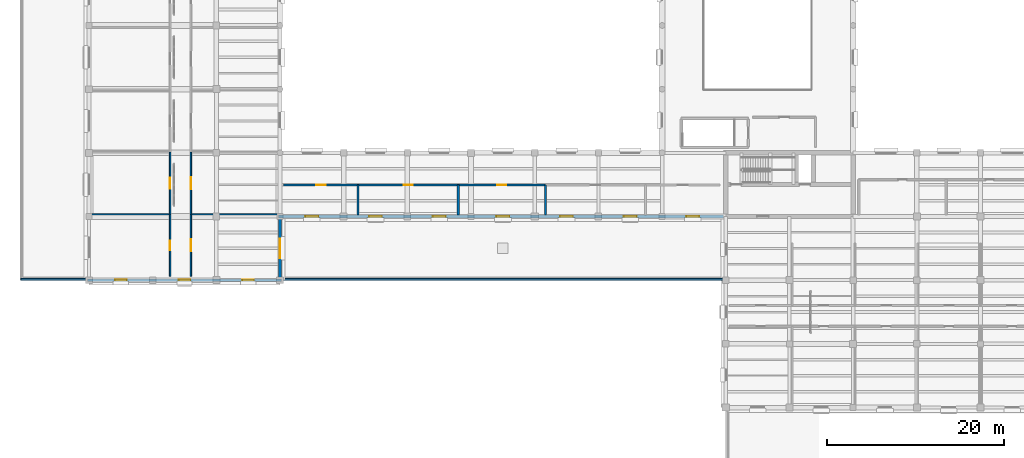
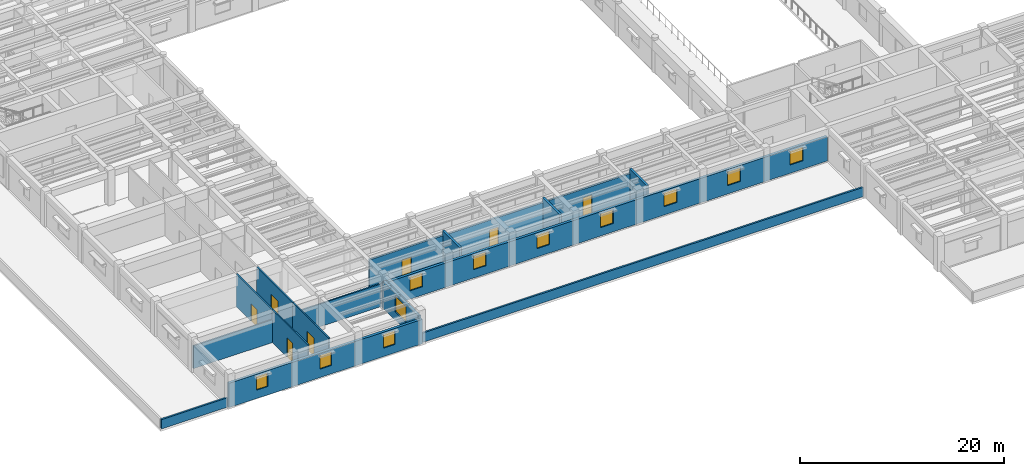
# One storey, part 48 of 76: 17 walls, 11 windows, 7 doors, 18 openings.
"""IFC4 building model written with IfcOpenShell, lengths in metres."""

from ifc_helpers import new_model, si_unit, direction, frame, frame_2d, origin, place, context, subcontext, project, spatial, rectangle, extrude, material, layer, layer_set, type_object, element, fill, save


model = new_model("IFC4")

# Units and contexts
model_context = context("Model", 3, precision=1e-05, world=origin(), true_north=direction((0.0, 1.0)))
body_context = subcontext(model_context, "Body", "Model", "MODEL_VIEW")
ifc_project = project(units=[si_unit("LENGTHUNIT", "METRE"), si_unit("AREAUNIT", "SQUARE_METRE"), si_unit("VOLUMEUNIT", "CUBIC_METRE"), si_unit("PLANEANGLEUNIT", "RADIAN"), si_unit("MASSUNIT", "GRAM", prefix="KILO")], contexts=[model_context])

# Site, building, storey
site_placement = place(None, origin())
site = spatial("IfcSite", under=ifc_project, at=site_placement, CompositionType="ELEMENT")
building_placement = place(site_placement, origin())
building = spatial("IfcBuilding", under=site, at=building_placement, Name="Mithqara Police Headquarters", CompositionType="ELEMENT")
storey_placement = place(building_placement, frame((0.0, 0.0, 5.39990234375)))
storey = spatial("IfcBuildingStorey", under=building, at=storey_placement, Name="L01", CompositionType="ELEMENT", Elevation=5.39990234375)

# Wall, openings, windows
ifc_material_1 = material(Name="Ochre masonry cavity wall, 35 MPa", Category="masonry")
ifc_layer_1 = layer(ifc_material_1, 0.300048828125, Name="Ochre masonry cavity wall, 35 MPa")
ifc_layer_set_1 = layer_set([ifc_layer_1], Name="Ochre masonry cavity wall, 35 MPa")
wall_type_1 = type_object("IfcWallType", Name="EXT WALL OCHRE BRICK300", PredefinedType="SOLIDWALL", material=ifc_layer_set_1)
wall_1_placement = place(storey_placement, frame((7.64990234375, 21.0, 0.0), z_axis=(0.0, 0.0, 1.0), x_axis=(1.0, 0.0, 0.0)))
wall_1 = element("IfcWall", 1, at=wall_1_placement, inside=storey, type_object=wall_type_1, Name="L01 Exterior Wall 19.1", PredefinedType="SOLIDWALL", context=body_context, shape_type="SweptSolid", body=[
    extrude(rectangle(XDim=21.900146484375, YDim=0.300048828125, at=frame_2d((10.9501953125, 0.0))), origin(), (0.0, 0.0, 1.0), 2.920166015625),
])
opening_1_placement = place(wall_1_placement, frame((3.10009765625, 0.0, 1.0)))
opening_1 = element("IfcOpeningElement", 2, at=opening_1_placement, cuts=wall_1, Name="Opening W-17", PredefinedType="OPENING", context=body_context, shape_type="SweptSolid", body=[
    extrude(rectangle(XDim=1.300048828125, YDim=1.64990234375, at=frame_2d((0.64990234375, 0.824951171875))), frame((0.0, 0.16015625, 0.0), z_axis=(0.0, -1.0, 0.0), x_axis=(1.0, 0.0, 0.0)), (0.0, 0.0, 1.0), 0.320068359375),
])
opening_2_placement = place(wall_1_placement, frame((10.300048828125, 0.0, 1.0)))
opening_2 = element("IfcOpeningElement", 3, at=opening_2_placement, cuts=wall_1, Name="Opening W-17", PredefinedType="OPENING", context=body_context, shape_type="SweptSolid", body=[
    extrude(rectangle(XDim=1.300048828125, YDim=1.64990234375, at=frame_2d((0.64990234375, 0.824951171875))), frame((0.0, 0.16015625, 0.0), z_axis=(0.0, -1.0, 0.0), x_axis=(1.0, 0.0, 0.0)), (0.0, 0.0, 1.0), 0.320068359375),
])
opening_3_placement = place(wall_1_placement, frame((17.5, 0.0, 1.0)))
opening_3 = element("IfcOpeningElement", 4, at=opening_3_placement, cuts=wall_1, Name="Opening W-17", PredefinedType="OPENING", context=body_context, shape_type="SweptSolid", body=[
    extrude(rectangle(XDim=1.300048828125, YDim=1.64990234375, at=frame_2d((0.64990234375, 0.824951171875))), frame((0.0, 0.16015625, 0.0), z_axis=(0.0, -1.0, 0.0), x_axis=(1.0, 0.0, 0.0)), (0.0, 0.0, 1.0), 0.320068359375),
])
ifc_material_2 = material(Name="Spectrally selective double low-e glass", Category="glass")
window_type_1 = type_object("IfcWindowType", Name="WINDOW 1300X1650", PartitioningType="SINGLE_PANEL", PredefinedType="WINDOW", material=ifc_material_2)
window_1_placement = place(opening_1_placement, origin())
window_1 = element("IfcWindow", 5, at=window_1_placement, inside=storey, type_object=window_type_1, Name="L01 Deep-Set Punched Window 19.1", OverallHeight=1.64990234375, OverallWidth=1.300048828125, PartitioningType="SINGLE_PANEL", PredefinedType="WINDOW", context=body_context, shape_type="SweptSolid", body=[
    extrude(rectangle(XDim=1.300048828125, YDim=1.64990234375, at=frame_2d((0.64990234375, 0.824951171875))), frame((0.0, 0.030029296875, 0.0), z_axis=(0.0, -1.0, 0.0), x_axis=(1.0, 0.0, 0.0)), (0.0, 0.0, 1.0), 0.06005859375),
])
fill(opening_1, window_1)
window_2_placement = place(opening_2_placement, origin())
window_2 = element("IfcWindow", 6, at=window_2_placement, inside=storey, type_object=window_type_1, Name="L01 Deep-Set Punched Window 19.2", OverallHeight=1.64990234375, OverallWidth=1.300048828125, PartitioningType="SINGLE_PANEL", PredefinedType="WINDOW", context=body_context, shape_type="SweptSolid", body=[
    extrude(rectangle(XDim=1.300048828125, YDim=1.64990234375, at=frame_2d((0.64990234375, 0.824951171875))), frame((0.0, 0.030029296875, 0.0), z_axis=(0.0, -1.0, 0.0), x_axis=(1.0, 0.0, 0.0)), (0.0, 0.0, 1.0), 0.06005859375),
])
fill(opening_2, window_2)
window_3_placement = place(opening_3_placement, origin())
window_3 = element("IfcWindow", 7, at=window_3_placement, inside=storey, type_object=window_type_1, Name="L01 Deep-Set Punched Window 19.3", OverallHeight=1.64990234375, OverallWidth=1.300048828125, PartitioningType="SINGLE_PANEL", PredefinedType="WINDOW", context=body_context, shape_type="SweptSolid", body=[
    extrude(rectangle(XDim=1.300048828125, YDim=1.64990234375, at=frame_2d((0.64990234375, 0.824951171875))), frame((0.0, 0.030029296875, 0.0), z_axis=(0.0, -1.0, 0.0), x_axis=(1.0, 0.0, 0.0)), (0.0, 0.0, 1.0), 0.06005859375),
])
fill(opening_3, window_3)

# Wall, opening, window
wall_2_placement = place(storey_placement, frame((29.39990234375, 21.14990234375, 0.0), z_axis=(0.0, 0.0, 1.0), x_axis=(0.0, 1.0, 0.0)))
wall_2 = element("IfcWall", 8, at=wall_2_placement, inside=storey, type_object=wall_type_1, Name="L01 Exterior Wall 20.1", PredefinedType="SOLIDWALL", context=body_context, shape_type="SweptSolid", body=[
    extrude(rectangle(XDim=6.900146484375, YDim=0.300048828125, at=frame_2d((3.4501953125, 0.0))), origin(), (0.0, 0.0, 1.0), 3.22021484375),
])
opening_4_placement = place(wall_2_placement, frame((2.35009765625, 0.0, 1.0)))
opening_4 = element("IfcOpeningElement", 9, at=opening_4_placement, cuts=wall_2, Name="Opening W-43", PredefinedType="OPENING", context=body_context, shape_type="SweptSolid", body=[
    extrude(rectangle(XDim=2.199951171875, YDim=1.89990234375, at=frame_2d((1.10009765625, 0.949951171875))), frame((0.0, 0.16015625, 0.0), z_axis=(0.0, -1.0, 0.0), x_axis=(1.0, 0.0, 0.0)), (0.0, 0.0, 1.0), 0.320068359375),
])
window_type_2 = type_object("IfcWindowType", Name="WINDOW 2200X1900", PartitioningType="DOUBLE_PANEL_VERTICAL", PredefinedType="WINDOW", material=ifc_material_2)
window_4_placement = place(opening_4_placement, origin())
window_4 = element("IfcWindow", 10, at=window_4_placement, inside=storey, type_object=window_type_2, Name="L01 Deep-Set Punched Window 20.1", OverallHeight=1.89990234375, OverallWidth=2.199951171875, PartitioningType="SINGLE_PANEL", PredefinedType="WINDOW", context=body_context, shape_type="SweptSolid", body=[
    extrude(rectangle(XDim=2.199951171875, YDim=1.89990234375, at=frame_2d((1.10009765625, 0.949951171875))), frame((0.0, 0.030029296875, 0.0), z_axis=(0.0, -1.0, 0.0), x_axis=(1.0, 0.0, 0.0)), (0.0, 0.0, 1.0), 0.06005859375),
])
fill(opening_4, window_4)

# Wall, openings, windows
wall_3_placement = place(storey_placement, frame((29.25, 28.199951171875, 0.0), z_axis=(0.0, 0.0, 1.0), x_axis=(1.0, 0.0, 0.0)))
wall_3 = element("IfcWall", 11, at=wall_3_placement, inside=storey, type_object=wall_type_1, Name="L01 Exterior Wall 21.1", PredefinedType="SOLIDWALL", context=body_context, shape_type="SweptSolid", body=[
    extrude(rectangle(XDim=50.300048828125, YDim=0.300048828125, at=frame_2d((25.14990234375, 0.0))), origin(), (0.0, 0.0, 1.0), 2.920166015625),
])
opening_5_placement = place(wall_3_placement, frame((3.02490234375, 0.0, 1.0)))
opening_5 = element("IfcOpeningElement", 12, at=opening_5_placement, cuts=wall_3, Name="Opening W-22", PredefinedType="OPENING", context=body_context, shape_type="SweptSolid", body=[
    extrude(rectangle(XDim=1.449951171875, YDim=1.64990234375, at=frame_2d((0.72509765625, 0.824951171875))), frame((0.0, 0.16015625, 0.0), z_axis=(0.0, -1.0, 0.0), x_axis=(1.0, 0.0, 0.0)), (0.0, 0.0, 1.0), 0.320068359375),
])
opening_6_placement = place(wall_3_placement, frame((10.22509765625, 0.0, 1.0)))
opening_6 = element("IfcOpeningElement", 13, at=opening_6_placement, cuts=wall_3, Name="Opening W-22", PredefinedType="OPENING", context=body_context, shape_type="SweptSolid", body=[
    extrude(rectangle(XDim=1.449951171875, YDim=1.64990234375, at=frame_2d((0.72509765625, 0.824951171875))), frame((0.0, 0.16015625, 0.0), z_axis=(0.0, -1.0, 0.0), x_axis=(1.0, 0.0, 0.0)), (0.0, 0.0, 1.0), 0.320068359375),
])
opening_7_placement = place(wall_3_placement, frame((17.425048828125, 0.0, 1.0)))
opening_7 = element("IfcOpeningElement", 14, at=opening_7_placement, cuts=wall_3, Name="Opening W-22", PredefinedType="OPENING", context=body_context, shape_type="SweptSolid", body=[
    extrude(rectangle(XDim=1.449951171875, YDim=1.64990234375, at=frame_2d((0.72509765625, 0.824951171875))), frame((0.0, 0.16015625, 0.0), z_axis=(0.0, -1.0, 0.0), x_axis=(1.0, 0.0, 0.0)), (0.0, 0.0, 1.0), 0.320068359375),
])
opening_8_placement = place(wall_3_placement, frame((24.625, 0.0, 1.0)))
opening_8 = element("IfcOpeningElement", 15, at=opening_8_placement, cuts=wall_3, Name="Opening W-22", PredefinedType="OPENING", context=body_context, shape_type="SweptSolid", body=[
    extrude(rectangle(XDim=1.449951171875, YDim=1.64990234375, at=frame_2d((0.72509765625, 0.824951171875))), frame((0.0, 0.16015625, 0.0), z_axis=(0.0, -1.0, 0.0), x_axis=(1.0, 0.0, 0.0)), (0.0, 0.0, 1.0), 0.320068359375),
])
opening_9_placement = place(wall_3_placement, frame((31.824951171875, 0.0, 1.0)))
opening_9 = element("IfcOpeningElement", 16, at=opening_9_placement, cuts=wall_3, Name="Opening W-22", PredefinedType="OPENING", context=body_context, shape_type="SweptSolid", body=[
    extrude(rectangle(XDim=1.449951171875, YDim=1.64990234375, at=frame_2d((0.72509765625, 0.824951171875))), frame((0.0, 0.16015625, 0.0), z_axis=(0.0, -1.0, 0.0), x_axis=(1.0, 0.0, 0.0)), (0.0, 0.0, 1.0), 0.320068359375),
])
opening_10_placement = place(wall_3_placement, frame((39.02490234375, 0.0, 1.0)))
opening_10 = element("IfcOpeningElement", 17, at=opening_10_placement, cuts=wall_3, Name="Opening W-22", PredefinedType="OPENING", context=body_context, shape_type="SweptSolid", body=[
    extrude(rectangle(XDim=1.449951171875, YDim=1.64990234375, at=frame_2d((0.72509765625, 0.824951171875))), frame((0.0, 0.16015625, 0.0), z_axis=(0.0, -1.0, 0.0), x_axis=(1.0, 0.0, 0.0)), (0.0, 0.0, 1.0), 0.320068359375),
])
opening_11_placement = place(wall_3_placement, frame((46.10009765625, 0.0, 1.0)))
opening_11 = element("IfcOpeningElement", 18, at=opening_11_placement, cuts=wall_3, Name="Opening W-22", PredefinedType="OPENING", context=body_context, shape_type="SweptSolid", body=[
    extrude(rectangle(XDim=1.449951171875, YDim=1.64990234375, at=frame_2d((0.72509765625, 0.824951171875))), frame((0.0, 0.16015625, 0.0), z_axis=(0.0, -1.0, 0.0), x_axis=(1.0, 0.0, 0.0)), (0.0, 0.0, 1.0), 0.320068359375),
])
window_type_3 = type_object("IfcWindowType", Name="WINDOW 1450X1650", PartitioningType="SINGLE_PANEL", PredefinedType="WINDOW", material=ifc_material_2)
window_5_placement = place(opening_5_placement, origin())
window_5 = element("IfcWindow", 19, at=window_5_placement, inside=storey, type_object=window_type_3, Name="L01 Deep-Set Punched Window 21.1", OverallHeight=1.64990234375, OverallWidth=1.449951171875, PartitioningType="SINGLE_PANEL", PredefinedType="WINDOW", context=body_context, shape_type="SweptSolid", body=[
    extrude(rectangle(XDim=1.449951171875, YDim=1.64990234375, at=frame_2d((0.72509765625, 0.824951171875))), frame((0.0, 0.030029296875, 0.0), z_axis=(0.0, -1.0, 0.0), x_axis=(1.0, 0.0, 0.0)), (0.0, 0.0, 1.0), 0.06005859375),
])
fill(opening_5, window_5)
window_6_placement = place(opening_6_placement, origin())
window_6 = element("IfcWindow", 20, at=window_6_placement, inside=storey, type_object=window_type_3, Name="L01 Deep-Set Punched Window 21.2", OverallHeight=1.64990234375, OverallWidth=1.449951171875, PartitioningType="SINGLE_PANEL", PredefinedType="WINDOW", context=body_context, shape_type="SweptSolid", body=[
    extrude(rectangle(XDim=1.449951171875, YDim=1.64990234375, at=frame_2d((0.72509765625, 0.824951171875))), frame((0.0, 0.030029296875, 0.0), z_axis=(0.0, -1.0, 0.0), x_axis=(1.0, 0.0, 0.0)), (0.0, 0.0, 1.0), 0.06005859375),
])
fill(opening_6, window_6)
window_7_placement = place(opening_7_placement, origin())
window_7 = element("IfcWindow", 21, at=window_7_placement, inside=storey, type_object=window_type_3, Name="L01 Deep-Set Punched Window 21.3", OverallHeight=1.64990234375, OverallWidth=1.449951171875, PartitioningType="SINGLE_PANEL", PredefinedType="WINDOW", context=body_context, shape_type="SweptSolid", body=[
    extrude(rectangle(XDim=1.449951171875, YDim=1.64990234375, at=frame_2d((0.72509765625, 0.824951171875))), frame((0.0, 0.030029296875, 0.0), z_axis=(0.0, -1.0, 0.0), x_axis=(1.0, 0.0, 0.0)), (0.0, 0.0, 1.0), 0.06005859375),
])
fill(opening_7, window_7)
window_8_placement = place(opening_8_placement, origin())
window_8 = element("IfcWindow", 22, at=window_8_placement, inside=storey, type_object=window_type_3, Name="L01 Deep-Set Punched Window 21.4", OverallHeight=1.64990234375, OverallWidth=1.449951171875, PartitioningType="SINGLE_PANEL", PredefinedType="WINDOW", context=body_context, shape_type="SweptSolid", body=[
    extrude(rectangle(XDim=1.449951171875, YDim=1.64990234375, at=frame_2d((0.72509765625, 0.824951171875))), frame((0.0, 0.030029296875, 0.0), z_axis=(0.0, -1.0, 0.0), x_axis=(1.0, 0.0, 0.0)), (0.0, 0.0, 1.0), 0.06005859375),
])
fill(opening_8, window_8)
window_9_placement = place(opening_9_placement, origin())
window_9 = element("IfcWindow", 23, at=window_9_placement, inside=storey, type_object=window_type_3, Name="L01 Deep-Set Punched Window 21.5", OverallHeight=1.64990234375, OverallWidth=1.449951171875, PartitioningType="SINGLE_PANEL", PredefinedType="WINDOW", context=body_context, shape_type="SweptSolid", body=[
    extrude(rectangle(XDim=1.449951171875, YDim=1.64990234375, at=frame_2d((0.72509765625, 0.824951171875))), frame((0.0, 0.030029296875, 0.0), z_axis=(0.0, -1.0, 0.0), x_axis=(1.0, 0.0, 0.0)), (0.0, 0.0, 1.0), 0.06005859375),
])
fill(opening_9, window_9)
window_10_placement = place(opening_10_placement, origin())
window_10 = element("IfcWindow", 24, at=window_10_placement, inside=storey, type_object=window_type_3, Name="L01 Deep-Set Punched Window 21.6", OverallHeight=1.64990234375, OverallWidth=1.449951171875, PartitioningType="SINGLE_PANEL", PredefinedType="WINDOW", context=body_context, shape_type="SweptSolid", body=[
    extrude(rectangle(XDim=1.449951171875, YDim=1.64990234375, at=frame_2d((0.72509765625, 0.824951171875))), frame((0.0, 0.030029296875, 0.0), z_axis=(0.0, -1.0, 0.0), x_axis=(1.0, 0.0, 0.0)), (0.0, 0.0, 1.0), 0.06005859375),
])
fill(opening_10, window_10)
window_11_placement = place(opening_11_placement, origin())
window_11 = element("IfcWindow", 25, at=window_11_placement, inside=storey, type_object=window_type_3, Name="L01 Deep-Set Punched Window 21.7", OverallHeight=1.64990234375, OverallWidth=1.449951171875, PartitioningType="SINGLE_PANEL", PredefinedType="WINDOW", context=body_context, shape_type="SweptSolid", body=[
    extrude(rectangle(XDim=1.449951171875, YDim=1.64990234375, at=frame_2d((0.72509765625, 0.824951171875))), frame((0.0, 0.030029296875, 0.0), z_axis=(0.0, -1.0, 0.0), x_axis=(1.0, 0.0, 0.0)), (0.0, 0.0, 1.0), 0.06005859375),
])
fill(opening_11, window_11)

# Walls
ifc_material_3 = material(Name="Limestone ashlar masonry, 45 MPa", Category="masonry")
ifc_layer_2 = layer(ifc_material_3, 0.199951171875, Name="Limestone ashlar masonry, 45 MPa")
ifc_layer_set_2 = layer_set([ifc_layer_2], Name="Limestone ashlar masonry, 45 MPa")
wall_type_2 = type_object("IfcWallType", Name="PARAPET WALL 200", PredefinedType="PARAPET", material=ifc_layer_set_2)
wall_4_placement = place(storey_placement, frame((79.580078125, 21.110107421875, 0.0), z_axis=(0.0, 0.0, 1.0), x_axis=(-1.0, 0.0, 0.0)))
element("IfcWall", 26, at=wall_4_placement, inside=storey, type_object=wall_type_2, Name="L01 Limestone Roof Parapet ROOF-L00-00-4", PredefinedType="PARAPET", context=body_context, shape_type="SweptSolid", body=[
    extrude(rectangle(XDim=49.9599609375, YDim=0.199951171875, at=frame_2d((24.97998046875, 0.0))), origin(), (0.0, 0.0, 1.0), 1.1201171875),
])
wall_5_placement = place(storey_placement, frame((7.580078125, 21.110107421875, 0.0), z_axis=(0.0, 0.0, 1.0), x_axis=(-1.0, 0.0, 0.0)))
element("IfcWall", 27, at=wall_5_placement, inside=storey, type_object=wall_type_2, Name="L01 Limestone Roof Parapet ROOF-L00-01-4", PredefinedType="PARAPET", context=body_context, shape_type="SweptSolid", body=[
    extrude(rectangle(XDim=7.469970703125, YDim=0.199951171875, at=frame_2d((3.73486328125, 0.0))), origin(), (0.0, 0.0, 1.0), 1.1201171875),
])

# Wall, opening, door
ifc_material_4 = material(Name="Gypsum acoustic stud partition", Category="gypsum")
ifc_layer_3 = layer(ifc_material_4, 0.159912109375, Name="Gypsum acoustic stud partition")
ifc_layer_set_3 = layer_set([ifc_layer_3], Name="Gypsum acoustic stud partition")
wall_type_3 = type_object("IfcWallType", Name="PART WALL 160", PredefinedType="PARTITIONING", material=ifc_layer_set_3)
wall_6_placement = place(storey_placement, frame((16.97998046875, 21.419921875, 0.0), z_axis=(0.0, 0.0, 1.0), x_axis=(0.0, 1.0, 0.0)))
wall_6 = element("IfcWall", 28, at=wall_6_placement, inside=storey, type_object=wall_type_3, Name="L01 Corridor Wall Officer Duty Rest Room", PredefinedType="PARTITIONING", context=body_context, shape_type="SweptSolid", body=[
    extrude(rectangle(XDim=7.031982421875, YDim=0.159912109375, at=frame_2d((3.51611328125, 0.0))), origin(), (0.0, 0.0, 1.0), 3.920166015625),
])
opening_12_placement = place(wall_6_placement, frame((2.966064453125, 0.0, 0.0)))
opening_12 = element("IfcOpeningElement", 29, at=opening_12_placement, cuts=wall_6, Name="Opening D-12", PredefinedType="OPENING", context=body_context, shape_type="SweptSolid", body=[
    extrude(rectangle(XDim=1.10009765625, YDim=2.35009765625, at=frame_2d((0.550048828125, 1.175048828125))), frame((0.0, 0.08984375, 0.0), z_axis=(0.0, -1.0, 0.0), x_axis=(1.0, 0.0, 0.0)), (0.0, 0.0, 1.0), 0.179931640625),
])
ifc_material_5 = material(Name="Acoustic solid-core timber leaf", Category="wood")
door_type_1 = type_object("IfcDoorType", Name="INT DOOR 1100X2350", OperationType="NOTDEFINED", PredefinedType="DOOR", material=ifc_material_5)
door_1_placement = place(opening_12_placement, frame((1.10009765625, 0.0, 0.0), z_axis=(0.0, 0.0, 1.0), x_axis=(-1.0, 0.0, 0.0)))
door_1 = element("IfcDoor", 30, at=door_1_placement, inside=storey, type_object=door_type_1, Name="Officer Duty Rest Room Entry Door", OperationType="SINGLE_SWING_LEFT", OverallHeight=2.35009765625, OverallWidth=1.10009765625, PredefinedType="DOOR", context=body_context, shape_type="SweptSolid", body=[
    extrude(rectangle(XDim=1.10009765625, YDim=2.35009765625, at=frame_2d((0.550048828125, 1.175048828125))), frame((0.0, 0.02490234375, 0.0), z_axis=(0.0, -1.0, 0.0), x_axis=(1.0, 0.0, 0.0)), (0.0, 0.0, 1.0), 0.050048828125),
])
fill(opening_12, door_1)

# Wall
wall_7_placement = place(storey_placement, frame((7.97998046875, 28.451904296875, 0.0), z_axis=(0.0, 0.0, 1.0), x_axis=(1.0, 0.0, 0.0)))
element("IfcWall", 31, at=wall_7_placement, inside=storey, type_object=wall_type_3, Name="L01 Room Partition Officer Duty Rest Room", PredefinedType="PARTITIONING", context=body_context, shape_type="SweptSolid", body=[
    extrude(rectangle(XDim=9.0, YDim=0.159912109375, at=frame_2d((4.5, 0.0))), origin(), (0.0, 0.0, 1.0), 2.72021484375),
])

# Wall, opening, door
wall_8_placement = place(storey_placement, frame((16.97998046875, 28.451904296875, 0.0), z_axis=(0.0, 0.0, 1.0), x_axis=(0.0, 1.0, 0.0)))
wall_8 = element("IfcWall", 32, at=wall_8_placement, inside=storey, type_object=wall_type_3, Name="L01 Corridor Wall Tactical De-Escalation Room", PredefinedType="PARTITIONING", context=body_context, shape_type="SweptSolid", body=[
    extrude(rectangle(XDim=7.031982421875, YDim=0.159912109375, at=frame_2d((3.51611328125, 0.0))), origin(), (0.0, 0.0, 1.0), 3.920166015625),
])
opening_13_placement = place(wall_8_placement, frame((2.906005859375, 0.0, 0.0)))
opening_13 = element("IfcOpeningElement", 33, at=opening_13_placement, cuts=wall_8, Name="Opening D-13", PredefinedType="OPENING", context=body_context, shape_type="SweptSolid", body=[
    extrude(rectangle(XDim=1.219970703125, YDim=2.10009765625, at=frame_2d((0.60986328125, 1.050048828125))), frame((0.0, 0.08984375, 0.0), z_axis=(0.0, -1.0, 0.0), x_axis=(1.0, 0.0, 0.0)), (0.0, 0.0, 1.0), 0.179931640625),
])
door_type_2 = type_object("IfcDoorType", Name="INT DOOR 1220X2100", OperationType="NOTDEFINED", PredefinedType="DOOR", material=ifc_material_5)
door_2_placement = place(opening_13_placement, frame((1.219970703125, 0.0, 0.0), z_axis=(0.0, 0.0, 1.0), x_axis=(-1.0, 0.0, 0.0)))
door_2 = element("IfcDoor", 34, at=door_2_placement, inside=storey, type_object=door_type_2, Name="Tactical De-Escalation Room Entry Door", OperationType="SINGLE_SWING_RIGHT", OverallHeight=2.10009765625, OverallWidth=1.219970703125, PredefinedType="DOOR", context=body_context, shape_type="SweptSolid", body=[
    extrude(rectangle(XDim=1.219970703125, YDim=2.10009765625, at=frame_2d((0.60986328125, 1.050048828125))), frame((0.0, 0.02490234375, 0.0), z_axis=(0.0, -1.0, 0.0), x_axis=(1.0, 0.0, 0.0)), (0.0, 0.0, 1.0), 0.050048828125),
])
fill(opening_13, door_2)

wall_9_placement = place(storey_placement, frame((19.320068359375, 21.419921875, 0.0), z_axis=(0.0, 0.0, 1.0), x_axis=(0.0, 1.0, 0.0)))
wall_9 = element("IfcWall", 35, at=wall_9_placement, inside=storey, type_object=wall_type_3, Name="L01 Corridor Wall Wellness Recovery Suite", PredefinedType="PARTITIONING", context=body_context, shape_type="SweptSolid", body=[
    extrude(rectangle(XDim=7.031982421875, YDim=0.159912109375, at=frame_2d((3.51611328125, 0.0))), origin(), (0.0, 0.0, 1.0), 3.920166015625),
])
opening_14_placement = place(wall_9_placement, frame((2.8359375, 0.0, 0.0)))
opening_14 = element("IfcOpeningElement", 36, at=opening_14_placement, cuts=wall_9, Name="Opening D-17", PredefinedType="OPENING", context=body_context, shape_type="SweptSolid", body=[
    extrude(rectangle(XDim=1.360107421875, YDim=2.219970703125, at=frame_2d((0.68017578125, 1.10986328125))), frame((0.0, 0.08984375, 0.0), z_axis=(0.0, -1.0, 0.0), x_axis=(1.0, 0.0, 0.0)), (0.0, 0.0, 1.0), 0.179931640625),
])
ifc_material_6 = material(Name="Bronze anodised aluminium 6063-T6", Category="aluminium")
door_type_3 = type_object("IfcDoorType", Name="INT DOOR 1360X2220", OperationType="NOTDEFINED", PredefinedType="DOOR", material=ifc_material_6)
door_3_placement = place(opening_14_placement, origin())
door_3 = element("IfcDoor", 37, at=door_3_placement, inside=storey, type_object=door_type_3, Name="Wellness Recovery Suite Entry Door", OperationType="SINGLE_SWING_RIGHT", OverallHeight=2.219970703125, OverallWidth=1.360107421875, PredefinedType="DOOR", context=body_context, shape_type="SweptSolid", body=[
    extrude(rectangle(XDim=1.360107421875, YDim=2.219970703125, at=frame_2d((0.68017578125, 1.10986328125))), frame((0.0, 0.02490234375, 0.0), z_axis=(0.0, -1.0, 0.0), x_axis=(1.0, 0.0, 0.0)), (0.0, 0.0, 1.0), 0.050048828125),
])
fill(opening_14, door_3)

# Wall
wall_10_placement = place(storey_placement, frame((19.320068359375, 28.451904296875, 0.0), z_axis=(0.0, 0.0, 1.0), x_axis=(1.0, 0.0, 0.0)))
element("IfcWall", 38, at=wall_10_placement, inside=storey, type_object=wall_type_3, Name="L01 Room Partition Wellness Recovery Suite", PredefinedType="PARTITIONING", context=body_context, shape_type="SweptSolid", body=[
    extrude(rectangle(XDim=9.89990234375, YDim=0.159912109375, at=frame_2d((4.949951171875, 0.0))), origin(), (0.0, 0.0, 1.0), 2.72021484375),
])

# Wall, opening, door
wall_11_placement = place(storey_placement, frame((19.320068359375, 28.451904296875, 0.0), z_axis=(0.0, 0.0, 1.0), x_axis=(0.0, 1.0, 0.0)))
wall_11 = element("IfcWall", 39, at=wall_11_placement, inside=storey, type_object=wall_type_3, Name="L01 Corridor Wall Officer Duty Rest Room", PredefinedType="PARTITIONING", context=body_context, shape_type="SweptSolid", body=[
    extrude(rectangle(XDim=7.031982421875, YDim=0.159912109375, at=frame_2d((3.51611328125, 0.0))), origin(), (0.0, 0.0, 1.0), 3.920166015625),
])
opening_15_placement = place(wall_11_placement, frame((2.8359375, 0.0, 0.0)))
opening_15 = element("IfcOpeningElement", 40, at=opening_15_placement, cuts=wall_11, Name="Opening D-18", PredefinedType="OPENING", context=body_context, shape_type="SweptSolid", body=[
    extrude(rectangle(XDim=1.360107421875, YDim=2.35009765625, at=frame_2d((0.68017578125, 1.175048828125))), frame((0.0, 0.08984375, 0.0), z_axis=(0.0, -1.0, 0.0), x_axis=(1.0, 0.0, 0.0)), (0.0, 0.0, 1.0), 0.179931640625),
])
door_type_4 = type_object("IfcDoorType", Name="INT DOOR 1360X2350", OperationType="NOTDEFINED", PredefinedType="DOOR", material=ifc_material_6)
door_4_placement = place(opening_15_placement, origin())
door_4 = element("IfcDoor", 41, at=door_4_placement, inside=storey, type_object=door_type_4, Name="Officer Duty Rest Room Entry Door", OperationType="SINGLE_SWING_LEFT", OverallHeight=2.35009765625, OverallWidth=1.360107421875, PredefinedType="DOOR", context=body_context, shape_type="SweptSolid", body=[
    extrude(rectangle(XDim=1.360107421875, YDim=2.35009765625, at=frame_2d((0.68017578125, 1.175048828125))), frame((0.0, 0.02490234375, 0.0), z_axis=(0.0, -1.0, 0.0), x_axis=(1.0, 0.0, 0.0)), (0.0, 0.0, 1.0), 0.050048828125),
])
fill(opening_15, door_4)

ifc_material_7 = material(Name="Concrete C40/50", Category="concrete")
ifc_layer_4 = layer(ifc_material_7, 0.22998046875, Name="Concrete C40/50")
ifc_layer_set_4 = layer_set([ifc_layer_4], Name="Concrete C40/50")
wall_type_4 = type_object("IfcWallType", Name="PART WALL 230", PredefinedType="PARTITIONING", material=ifc_layer_set_4)
wall_12_placement = place(storey_placement, frame((29.820068359375, 31.780029296875, 0.0), z_axis=(0.0, 0.0, 1.0), x_axis=(1.0, 0.0, 0.0)))
wall_12 = element("IfcWall", 42, at=wall_12_placement, inside=storey, type_object=wall_type_4, Name="L01 Corridor Wall Juvenile Welfare Consultation Room", PredefinedType="PARTITIONING", context=body_context, shape_type="SweptSolid", body=[
    extrude(rectangle(XDim=8.416015625, YDim=0.22998046875, at=frame_2d((4.2080078125, 0.0))), origin(), (0.0, 0.0, 1.0), 3.3701171875),
])
opening_16_placement = place(wall_12_placement, frame((3.68798828125, 0.0, 0.0)))
opening_16 = element("IfcOpeningElement", 43, at=opening_16_placement, cuts=wall_12, Name="Opening D-07", PredefinedType="OPENING", context=body_context, shape_type="SweptSolid", body=[
    extrude(rectangle(XDim=1.0400390625, YDim=2.10009765625, at=frame_2d((0.52001953125, 1.050048828125))), frame((0.0, 0.125, 0.0), z_axis=(0.0, -1.0, 0.0), x_axis=(1.0, 0.0, 0.0)), (0.0, 0.0, 1.0), 0.25),
])
door_type_5 = type_object("IfcDoorType", Name="INT DOOR 1040X2100", OperationType="NOTDEFINED", PredefinedType="DOOR", material=ifc_material_5)
door_5_placement = place(opening_16_placement, frame((1.0400390625, 0.0, 0.0), z_axis=(0.0, 0.0, 1.0), x_axis=(-1.0, 0.0, 0.0)))
door_5 = element("IfcDoor", 44, at=door_5_placement, inside=storey, type_object=door_type_5, Name="Juvenile Welfare Consultation Room Entry Door", OperationType="SINGLE_SWING_RIGHT", OverallHeight=2.10009765625, OverallWidth=1.0400390625, PredefinedType="DOOR", context=body_context, shape_type="SweptSolid", body=[
    extrude(rectangle(XDim=1.0400390625, YDim=2.10009765625, at=frame_2d((0.52001953125, 1.050048828125))), frame((0.0, 0.02490234375, 0.0), z_axis=(0.0, -1.0, 0.0), x_axis=(1.0, 0.0, 0.0)), (0.0, 0.0, 1.0), 0.050048828125),
])
fill(opening_16, door_5)

# Wall
wall_13_placement = place(storey_placement, frame((38.236083984375, 28.3798828125, 0.0), z_axis=(0.0, 0.0, 1.0), x_axis=(0.0, 1.0, 0.0)))
element("IfcWall", 45, at=wall_13_placement, inside=storey, type_object=wall_type_4, Name="L01 Room Partition Juvenile Welfare Consultation Room", PredefinedType="PARTITIONING", context=body_context, shape_type="SweptSolid", body=[
    extrude(rectangle(XDim=3.400146484375, YDim=0.22998046875, at=frame_2d((1.7001953125, 0.0))), origin(), (0.0, 0.0, 1.0), 3.920166015625),
])

# Wall, opening, door
wall_14_placement = place(storey_placement, frame((38.236083984375, 31.780029296875, 0.0), z_axis=(0.0, 0.0, 1.0), x_axis=(1.0, 0.0, 0.0)))
wall_14 = element("IfcWall", 46, at=wall_14_placement, inside=storey, type_object=wall_type_4, Name="L01 Corridor Wall Family Protection Suite", PredefinedType="PARTITIONING", context=body_context, shape_type="SweptSolid", body=[
    extrude(rectangle(XDim=11.31591796875, YDim=0.22998046875, at=frame_2d((5.657958984375, 0.0))), origin(), (0.0, 0.0, 1.0), 3.3701171875),
])
opening_17_placement = place(wall_14_placement, frame((5.137939453125, 0.0, 0.0)))
opening_17 = element("IfcOpeningElement", 47, at=opening_17_placement, cuts=wall_14, Name="Opening D-08", PredefinedType="OPENING", context=body_context, shape_type="SweptSolid", body=[
    extrude(rectangle(XDim=1.0400390625, YDim=2.219970703125, at=frame_2d((0.52001953125, 1.10986328125))), frame((0.0, 0.125, 0.0), z_axis=(0.0, -1.0, 0.0), x_axis=(1.0, 0.0, 0.0)), (0.0, 0.0, 1.0), 0.25),
])
door_type_6 = type_object("IfcDoorType", Name="INT DOOR 1040X2220", OperationType="NOTDEFINED", PredefinedType="DOOR", material=ifc_material_5)
door_6_placement = place(opening_17_placement, frame((1.0400390625, 0.0, 0.0), z_axis=(0.0, 0.0, 1.0), x_axis=(-1.0, 0.0, 0.0)))
door_6 = element("IfcDoor", 48, at=door_6_placement, inside=storey, type_object=door_type_6, Name="Family Protection Suite Entry Door", OperationType="SINGLE_SWING_LEFT", OverallHeight=2.219970703125, OverallWidth=1.0400390625, PredefinedType="DOOR", context=body_context, shape_type="SweptSolid", body=[
    extrude(rectangle(XDim=1.0400390625, YDim=2.219970703125, at=frame_2d((0.52001953125, 1.10986328125))), frame((0.0, 0.02490234375, 0.0), z_axis=(0.0, -1.0, 0.0), x_axis=(1.0, 0.0, 0.0)), (0.0, 0.0, 1.0), 0.050048828125),
])
fill(opening_17, door_6)

# Wall
wall_15_placement = place(storey_placement, frame((49.552001953125, 28.3798828125, 0.0), z_axis=(0.0, 0.0, 1.0), x_axis=(0.0, 1.0, 0.0)))
element("IfcWall", 49, at=wall_15_placement, inside=storey, type_object=wall_type_4, Name="L01 Room Partition Family Protection Suite", PredefinedType="PARTITIONING", context=body_context, shape_type="SweptSolid", body=[
    extrude(rectangle(XDim=3.400146484375, YDim=0.22998046875, at=frame_2d((1.7001953125, 0.0))), origin(), (0.0, 0.0, 1.0), 3.920166015625),
])

# Wall, opening, door
wall_16_placement = place(storey_placement, frame((49.552001953125, 31.780029296875, 0.0), z_axis=(0.0, 0.0, 1.0), x_axis=(1.0, 0.0, 0.0)))
wall_16 = element("IfcWall", 50, at=wall_16_placement, inside=storey, type_object=wall_type_4, Name="L01 Corridor Wall Duty Advocates' Room", PredefinedType="PARTITIONING", context=body_context, shape_type="SweptSolid", body=[
    extrude(rectangle(XDim=9.865966796875, YDim=0.22998046875, at=frame_2d((4.93310546875, 0.0))), origin(), (0.0, 0.0, 1.0), 3.3701171875),
])
opening_18_placement = place(wall_16_placement, frame((4.4130859375, 0.0, 0.0)))
opening_18 = element("IfcOpeningElement", 51, at=opening_18_placement, cuts=wall_16, Name="Opening D-09", PredefinedType="OPENING", context=body_context, shape_type="SweptSolid", body=[
    extrude(rectangle(XDim=1.0400390625, YDim=2.35009765625, at=frame_2d((0.52001953125, 1.175048828125))), frame((0.0, 0.125, 0.0), z_axis=(0.0, -1.0, 0.0), x_axis=(1.0, 0.0, 0.0)), (0.0, 0.0, 1.0), 0.25),
])
door_type_7 = type_object("IfcDoorType", Name="INT DOOR 1040X2350", OperationType="NOTDEFINED", PredefinedType="DOOR", material=ifc_material_5)
door_7_placement = place(opening_18_placement, frame((1.0400390625, 0.0, 0.0), z_axis=(0.0, 0.0, 1.0), x_axis=(-1.0, 0.0, 0.0)))
door_7 = element("IfcDoor", 52, at=door_7_placement, inside=storey, type_object=door_type_7, Name="Duty Advocates' Room Entry Door", OperationType="SINGLE_SWING_RIGHT", OverallHeight=2.35009765625, OverallWidth=1.0400390625, PredefinedType="DOOR", context=body_context, shape_type="SweptSolid", body=[
    extrude(rectangle(XDim=1.0400390625, YDim=2.35009765625, at=frame_2d((0.52001953125, 1.175048828125))), frame((0.0, 0.02490234375, 0.0), z_axis=(0.0, -1.0, 0.0), x_axis=(1.0, 0.0, 0.0)), (0.0, 0.0, 1.0), 0.050048828125),
])
fill(opening_18, door_7)

# Wall
wall_17_placement = place(storey_placement, frame((59.41796875, 28.3798828125, 0.0), z_axis=(0.0, 0.0, 1.0), x_axis=(0.0, 1.0, 0.0)))
element("IfcWall", 53, at=wall_17_placement, inside=storey, type_object=wall_type_4, Name="L01 Room Partition Duty Advocates' Room", PredefinedType="PARTITIONING", context=body_context, shape_type="SweptSolid", body=[
    extrude(rectangle(XDim=3.400146484375, YDim=0.22998046875, at=frame_2d((1.7001953125, 0.0))), origin(), (0.0, 0.0, 1.0), 3.920166015625),
])

save(model, "model.ifc")
